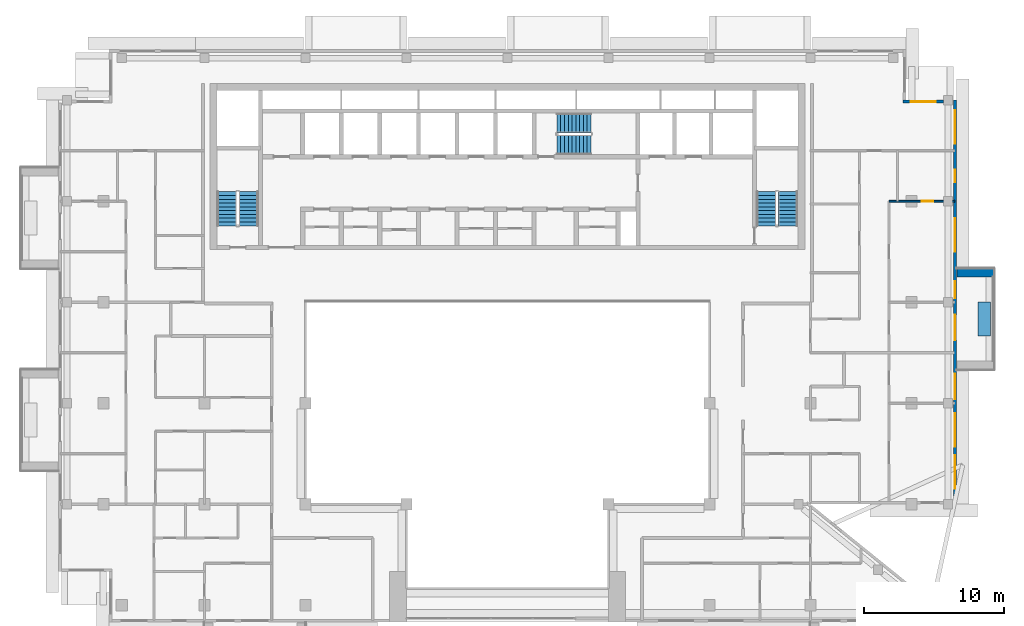
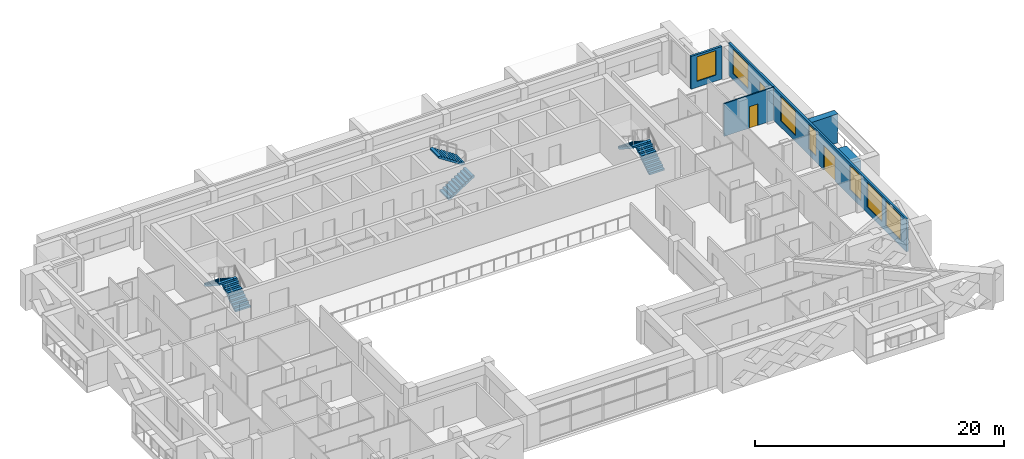
# One storey, part 12 of 19: 8 windows, 6 stair flights, 5 walls, 2 doors, 10 openings, 3 elements without a shape of their own.
"""IFC4 building model written with IfcOpenShell, lengths in metres."""

from ifc_helpers import new_model, si_unit, direction, frame, frame_2d, origin, place, context, subcontext, project, spatial, polyline, rectangle, outline, extrude, material, layer, layer_set, type_object, element, fill, aggregate, save


model = new_model("IFC4")

# Units and contexts
model_context = context("Model", 3, precision=1e-05, world=origin(), true_north=direction((0.0, 1.0)))
body_context = subcontext(model_context, "Body", "Model", "MODEL_VIEW")
ifc_project = project(units=[si_unit("LENGTHUNIT", "METRE"), si_unit("AREAUNIT", "SQUARE_METRE"), si_unit("VOLUMEUNIT", "CUBIC_METRE"), si_unit("PLANEANGLEUNIT", "RADIAN"), si_unit("MASSUNIT", "GRAM", prefix="KILO")], contexts=[model_context])

# Site, building, storey
site_placement = place(None, origin())
site = spatial("IfcSite", under=ifc_project, at=site_placement, CompositionType="ELEMENT")
building_placement = place(site_placement, origin())
building = spatial("IfcBuilding", under=site, at=building_placement, Name="Saffron Iwan Residences", CompositionType="ELEMENT")
storey_placement = place(building_placement, frame((0.0, 0.0, 243.0)))
storey = spatial("IfcBuildingStorey", under=building, at=storey_placement, Name="L65", CompositionType="ELEMENT", Elevation=243.0)

# Walls
ifc_material_1 = material(Name="Concrete C50/60 white painted", Category="concrete")
ifc_layer_1 = layer(ifc_material_1, 0.60009765625)
ifc_layer_set_1 = layer_set([ifc_layer_1], Name="Concrete C50/60 white painted")
wall_type_1 = type_object("IfcWallType", Name="BALCONY FIN 600", PredefinedType="SOLIDWALL", material=ifc_layer_set_1)
wall_1_placement = place(storey_placement, frame((82.449951171875, 64.5, 0.0), z_axis=(0.0, 0.0, 1.0), x_axis=(1.0, 0.0, 0.0)))
element("IfcWall", 1, at=wall_1_placement, inside=storey, type_object=wall_type_1, Name="Balcony fin L65 F2-0b", PredefinedType="SOLIDWALL", context=body_context, shape_type="SweptSolid", body=[
    extrude(rectangle(XDim=2.650146484375, YDim=0.60009765625, at=frame_2d((1.3251953125, 0.0))), origin(), (0.0, 0.0, 1.0), 2.85009765625),
])
ifc_material_2 = material(Name="Concrete C35/45 white painted", Category="concrete")
ifc_layer_2 = layer(ifc_material_2, 0.14990234375)
ifc_layer_set_2 = layer_set([ifc_layer_2], Name="Concrete C35/45 white painted")
wall_type_2 = type_object("IfcWallType", Name="BALCONY PLANTER", PredefinedType="SOLIDWALL", material=ifc_layer_set_2)
wall_2_placement = place(storey_placement, frame((84.375, 60.0, 0.0), z_axis=(0.0, 0.0, 1.0), x_axis=(0.0, 1.0, 0.0)))
element("IfcWall", 2, at=wall_2_placement, inside=storey, type_object=wall_type_2, Name="PLANTER L65 F2-0", PredefinedType="SOLIDWALL", context=body_context, shape_type="SweptSolid", body=[
    extrude(rectangle(XDim=2.39990234375, YDim=0.89990234375, at=frame_2d((1.199951171875, 0.0))), origin(), (0.0, 0.0, 1.0), 0.89990234375),
])

# Wall, openings, door, windows
ifc_material_3 = material(Name="Concrete C40/50", Category="concrete")
ifc_layer_3 = layer(ifc_material_3, 0.199951171875)
ifc_layer_set_3 = layer_set([ifc_layer_3], Name="Concrete C40/50")
wall_type_3 = type_object("IfcWallType", Name="EXTERNAL WALL 200", PredefinedType="SOLIDWALL", material=ifc_layer_set_3)
wall_3_placement = place(storey_placement, frame((82.300048828125, 48.199951171875, 0.0), z_axis=(0.0, 0.0, 1.0), x_axis=(0.0, 1.0, 0.0)))
wall_3 = element("IfcWall", 3, at=wall_3_placement, inside=storey, type_object=wall_type_3, Name="External wall L65 F2.0", PredefinedType="SOLIDWALL", context=body_context, shape_type="SweptSolid", body=[
    extrude(rectangle(XDim=28.60009765625, YDim=0.199951171875, at=frame_2d((14.300048828125, 0.0))), origin(), (0.0, 0.0, 1.0), 3.219970703125),
])
opening_1_placement = place(wall_3_placement, frame((11.5, 0.0, 0.0)))
opening_1 = element("IfcOpeningElement", 4, at=opening_1_placement, cuts=wall_3, Name="Opening BD1", PredefinedType="OPENING", context=body_context, shape_type="SweptSolid", body=[
    extrude(rectangle(XDim=1.800048828125, YDim=2.39990234375, at=frame_2d((0.89990234375, 1.199951171875))), frame((0.0, 0.10986328125, 0.0), z_axis=(0.0, -1.0, 0.0), x_axis=(1.0, 0.0, 0.0)), (0.0, 0.0, 1.0), 0.219970703125),
])
opening_2_placement = place(wall_3_placement, frame((0.89990234375, 0.0, 0.60009765625)))
opening_2 = element("IfcOpeningElement", 5, at=opening_2_placement, cuts=wall_3, Name="Opening W1", PredefinedType="OPENING", context=body_context, shape_type="SweptSolid", body=[
    extrude(rectangle(XDim=2.39990234375, YDim=2.39990234375, at=frame_2d((1.199951171875, 1.199951171875))), frame((0.0, 0.10986328125, 0.0), z_axis=(0.0, -1.0, 0.0), x_axis=(1.0, 0.0, 0.0)), (0.0, 0.0, 1.0), 0.219970703125),
])
opening_3_placement = place(wall_3_placement, frame((3.89990234375, 0.0, 0.60009765625)))
opening_3 = element("IfcOpeningElement", 6, at=opening_3_placement, cuts=wall_3, Name="Opening W1", PredefinedType="OPENING", context=body_context, shape_type="SweptSolid", body=[
    extrude(rectangle(XDim=2.39990234375, YDim=2.39990234375, at=frame_2d((1.199951171875, 1.199951171875))), frame((0.0, 0.10986328125, 0.0), z_axis=(0.0, -1.0, 0.0), x_axis=(1.0, 0.0, 0.0)), (0.0, 0.0, 1.0), 0.219970703125),
])
opening_4_placement = place(wall_3_placement, frame((7.300048828125, 0.0, 0.60009765625)))
opening_4 = element("IfcOpeningElement", 7, at=opening_4_placement, cuts=wall_3, Name="Opening W8", PredefinedType="OPENING", context=body_context, shape_type="SweptSolid", body=[
    extrude(rectangle(XDim=1.800048828125, YDim=2.39990234375, at=frame_2d((0.89990234375, 1.199951171875))), frame((0.0, 0.10986328125, 0.0), z_axis=(0.0, -1.0, 0.0), x_axis=(1.0, 0.0, 0.0)), (0.0, 0.0, 1.0), 0.219970703125),
])
opening_5_placement = place(wall_3_placement, frame((14.5, 0.0, 0.60009765625)))
opening_5 = element("IfcOpeningElement", 8, at=opening_5_placement, cuts=wall_3, Name="Opening W3", PredefinedType="OPENING", context=body_context, shape_type="SweptSolid", body=[
    extrude(rectangle(XDim=1.199951171875, YDim=2.39990234375, at=frame_2d((0.60009765625, 1.199951171875))), frame((0.0, 0.10986328125, 0.0), z_axis=(0.0, -1.0, 0.0), x_axis=(1.0, 0.0, 0.0)), (0.0, 0.0, 1.0), 0.219970703125),
])
opening_6_placement = place(wall_3_placement, frame((17.800048828125, 0.0, 0.60009765625)))
opening_6 = element("IfcOpeningElement", 9, at=opening_6_placement, cuts=wall_3, Name="Opening W1", PredefinedType="OPENING", context=body_context, shape_type="SweptSolid", body=[
    extrude(rectangle(XDim=2.39990234375, YDim=2.39990234375, at=frame_2d((1.199951171875, 1.199951171875))), frame((0.0, 0.10986328125, 0.0), z_axis=(0.0, -1.0, 0.0), x_axis=(1.0, 0.0, 0.0)), (0.0, 0.0, 1.0), 0.219970703125),
])
opening_7_placement = place(wall_3_placement, frame((22.75, 0.0, 1.5)))
opening_7 = element("IfcOpeningElement", 10, at=opening_7_placement, cuts=wall_3, Name="Opening W6", PredefinedType="OPENING", context=body_context, shape_type="SweptSolid", body=[
    extrude(rectangle(XDim=0.89990234375, YDim=0.89990234375, at=frame_2d((0.449951171875, 0.449951171875))), frame((0.0, 0.10986328125, 0.0), z_axis=(0.0, -1.0, 0.0), x_axis=(1.0, 0.0, 0.0)), (0.0, 0.0, 1.0), 0.219970703125),
])
opening_8_placement = place(wall_3_placement, frame((25.5, 0.0, 0.60009765625)))
opening_8 = element("IfcOpeningElement", 11, at=opening_8_placement, cuts=wall_3, Name="Opening W1", PredefinedType="OPENING", context=body_context, shape_type="SweptSolid", body=[
    extrude(rectangle(XDim=2.39990234375, YDim=2.39990234375, at=frame_2d((1.199951171875, 1.199951171875))), frame((0.0, 0.10986328125, 0.0), z_axis=(0.0, -1.0, 0.0), x_axis=(1.0, 0.0, 0.0)), (0.0, 0.0, 1.0), 0.219970703125),
])
ifc_material_4 = material(Name="Clear glass, laminated double glazed", Category="glass")
door_type_1 = type_object("IfcDoorType", Name="BALCONY DOOR 1800 x 2400", OperationType="DOUBLE_DOOR_SLIDING", PredefinedType="DOOR", material=ifc_material_4)
door_1_placement = place(opening_1_placement, origin())
door_1 = element("IfcDoor", 12, at=door_1_placement, inside=storey, type_object=door_type_1, Name="Balcony door L65 F2.0", OperationType="DOUBLE_DOOR_SLIDING", OverallHeight=2.39990234375, OverallWidth=1.800048828125, PredefinedType="DOOR", context=body_context, shape_type="SweptSolid", body=[
    extrude(rectangle(XDim=1.800048828125, YDim=2.39990234375, at=frame_2d((0.89990234375, 1.199951171875))), frame((0.0, 0.02490234375, 0.0), z_axis=(0.0, -1.0, 0.0), x_axis=(1.0, 0.0, 0.0)), (0.0, 0.0, 1.0), 0.050048828125),
])
fill(opening_1, door_1)
window_type_1 = type_object("IfcWindowType", Name="WINDOW 1200 x 2400", PartitioningType="SINGLE_PANEL", PredefinedType="WINDOW", material=ifc_material_4)
window_1_placement = place(opening_5_placement, origin())
window_1 = element("IfcWindow", 13, at=window_1_placement, inside=storey, type_object=window_type_1, Name="Window L65 F2.4", OverallHeight=2.39990234375, OverallWidth=1.199951171875, PartitioningType="SINGLE_PANEL", PredefinedType="WINDOW", context=body_context, shape_type="SweptSolid", body=[
    extrude(rectangle(XDim=1.199951171875, YDim=2.39990234375, at=frame_2d((0.60009765625, 1.199951171875))), frame((0.0, 0.030029296875, 0.0), z_axis=(0.0, -1.0, 0.0), x_axis=(1.0, 0.0, 0.0)), (0.0, 0.0, 1.0), 0.06005859375),
])
fill(opening_5, window_1)
window_type_2 = type_object("IfcWindowType", Name="WINDOW 1800 x 2400", PartitioningType="DOUBLE_PANEL_VERTICAL", PredefinedType="WINDOW", material=ifc_material_4)
window_2_placement = place(opening_4_placement, origin())
window_2 = element("IfcWindow", 14, at=window_2_placement, inside=storey, type_object=window_type_2, Name="Window L65 F2.3", OverallHeight=2.39990234375, OverallWidth=1.800048828125, PartitioningType="DOUBLE_PANEL_VERTICAL", PredefinedType="WINDOW", context=body_context, shape_type="SweptSolid", body=[
    extrude(rectangle(XDim=1.800048828125, YDim=2.39990234375, at=frame_2d((0.89990234375, 1.199951171875))), frame((0.0, 0.030029296875, 0.0), z_axis=(0.0, -1.0, 0.0), x_axis=(1.0, 0.0, 0.0)), (0.0, 0.0, 1.0), 0.06005859375),
])
fill(opening_4, window_2)
window_type_3 = type_object("IfcWindowType", Name="WINDOW 2400 x 2400", PartitioningType="DOUBLE_PANEL_VERTICAL", PredefinedType="WINDOW", material=ifc_material_4)
window_3_placement = place(opening_2_placement, origin())
window_3 = element("IfcWindow", 15, at=window_3_placement, inside=storey, type_object=window_type_3, Name="Window L65 F2.1", OverallHeight=2.39990234375, OverallWidth=2.39990234375, PartitioningType="DOUBLE_PANEL_VERTICAL", PredefinedType="WINDOW", context=body_context, shape_type="SweptSolid", body=[
    extrude(rectangle(XDim=2.39990234375, YDim=2.39990234375, at=frame_2d((1.199951171875, 1.199951171875))), frame((0.0, 0.030029296875, 0.0), z_axis=(0.0, -1.0, 0.0), x_axis=(1.0, 0.0, 0.0)), (0.0, 0.0, 1.0), 0.06005859375),
])
fill(opening_2, window_3)
window_4_placement = place(opening_3_placement, origin())
window_4 = element("IfcWindow", 16, at=window_4_placement, inside=storey, type_object=window_type_3, Name="Window L65 F2.2", OverallHeight=2.39990234375, OverallWidth=2.39990234375, PartitioningType="DOUBLE_PANEL_VERTICAL", PredefinedType="WINDOW", context=body_context, shape_type="SweptSolid", body=[
    extrude(rectangle(XDim=2.39990234375, YDim=2.39990234375, at=frame_2d((1.199951171875, 1.199951171875))), frame((0.0, 0.030029296875, 0.0), z_axis=(0.0, -1.0, 0.0), x_axis=(1.0, 0.0, 0.0)), (0.0, 0.0, 1.0), 0.06005859375),
])
fill(opening_3, window_4)
window_5_placement = place(opening_6_placement, origin())
window_5 = element("IfcWindow", 17, at=window_5_placement, inside=storey, type_object=window_type_3, Name="Window L65 F2.5", OverallHeight=2.39990234375, OverallWidth=2.39990234375, PartitioningType="DOUBLE_PANEL_VERTICAL", PredefinedType="WINDOW", context=body_context, shape_type="SweptSolid", body=[
    extrude(rectangle(XDim=2.39990234375, YDim=2.39990234375, at=frame_2d((1.199951171875, 1.199951171875))), frame((0.0, 0.030029296875, 0.0), z_axis=(0.0, -1.0, 0.0), x_axis=(1.0, 0.0, 0.0)), (0.0, 0.0, 1.0), 0.06005859375),
])
fill(opening_6, window_5)
window_6_placement = place(opening_8_placement, origin())
window_6 = element("IfcWindow", 18, at=window_6_placement, inside=storey, type_object=window_type_3, Name="Window L65 F2.7", OverallHeight=2.39990234375, OverallWidth=2.39990234375, PartitioningType="DOUBLE_PANEL_VERTICAL", PredefinedType="WINDOW", context=body_context, shape_type="SweptSolid", body=[
    extrude(rectangle(XDim=2.39990234375, YDim=2.39990234375, at=frame_2d((1.199951171875, 1.199951171875))), frame((0.0, 0.030029296875, 0.0), z_axis=(0.0, -1.0, 0.0), x_axis=(1.0, 0.0, 0.0)), (0.0, 0.0, 1.0), 0.06005859375),
])
fill(opening_8, window_6)
window_type_4 = type_object("IfcWindowType", Name="WINDOW 900 x 900 BATH", PartitioningType="SINGLE_PANEL", PredefinedType="WINDOW", material=ifc_material_4)
window_7_placement = place(opening_7_placement, origin())
window_7 = element("IfcWindow", 19, at=window_7_placement, inside=storey, type_object=window_type_4, Name="Window L65 F2.6", OverallHeight=0.89990234375, OverallWidth=0.89990234375, PartitioningType="SINGLE_PANEL", PredefinedType="WINDOW", context=body_context, shape_type="SweptSolid", body=[
    extrude(rectangle(XDim=0.89990234375, YDim=0.89990234375, at=frame_2d((0.449951171875, 0.449951171875))), frame((0.0, 0.030029296875, 0.0), z_axis=(0.0, -1.0, 0.0), x_axis=(1.0, 0.0, 0.0)), (0.0, 0.0, 1.0), 0.06005859375),
])
fill(opening_7, window_7)

# Wall, opening, window
wall_4_placement = place(storey_placement, frame((81.47509765625, 76.699951171875, 0.0), z_axis=(0.0, 0.0, 1.0), x_axis=(-1.0, 0.0, 0.0)))
wall_4 = element("IfcWall", 20, at=wall_4_placement, inside=storey, type_object=wall_type_3, Name="External wall L65 F3.0", PredefinedType="SOLIDWALL", context=body_context, shape_type="SweptSolid", body=[
    extrude(rectangle(XDim=2.875, YDim=0.199951171875, at=frame_2d((1.4375, 0.0))), origin(), (0.0, 0.0, 1.0), 3.219970703125),
])
opening_9_placement = place(wall_4_placement, frame((0.53759765625, 0.0, 0.60009765625)))
opening_9 = element("IfcOpeningElement", 21, at=opening_9_placement, cuts=wall_4, Name="Opening W8", PredefinedType="OPENING", context=body_context, shape_type="SweptSolid", body=[
    extrude(rectangle(XDim=1.800048828125, YDim=2.39990234375, at=frame_2d((0.89990234375, 1.199951171875))), frame((0.0, 0.10986328125, 0.0), z_axis=(0.0, -1.0, 0.0), x_axis=(1.0, 0.0, 0.0)), (0.0, 0.0, 1.0), 0.219970703125),
])
window_8_placement = place(opening_9_placement, origin())
window_8 = element("IfcWindow", 22, at=window_8_placement, inside=storey, type_object=window_type_2, Name="Window L65 F3.0", OverallHeight=2.39990234375, OverallWidth=1.800048828125, PartitioningType="DOUBLE_PANEL_VERTICAL", PredefinedType="WINDOW", context=body_context, shape_type="SweptSolid", body=[
    extrude(rectangle(XDim=1.800048828125, YDim=2.39990234375, at=frame_2d((0.89990234375, 1.199951171875))), frame((0.0, 0.030029296875, 0.0), z_axis=(0.0, -1.0, 0.0), x_axis=(1.0, 0.0, 0.0)), (0.0, 0.0, 1.0), 0.06005859375),
])
fill(opening_9, window_8)

# Wall, opening, door
ifc_material_5 = material(Name="Gypsum board partition")
ifc_layer_4 = layer(ifc_material_5, 0.1201171875)
ifc_layer_set_4 = layer_set([ifc_layer_4], Name="Gypsum board partition")
wall_type_4 = type_object("IfcWallType", Name="Flat partition 120", PredefinedType="PARTITIONING", material=ifc_layer_set_4)
wall_5_placement = place(storey_placement, frame((77.60009765625, 69.60009765625, 0.0), z_axis=(0.0, 0.0, 1.0), x_axis=(1.0, 0.0, 0.0)))
wall_5 = element("IfcWall", 23, at=wall_5_placement, inside=storey, type_object=wall_type_4, Name="W-L65-PART-h69.6-77.6", PredefinedType="PARTITIONING", context=body_context, shape_type="SweptSolid", body=[
    extrude(rectangle(XDim=4.6748046875, YDim=0.1201171875, at=frame_2d((2.33740234375, 0.0))), origin(), (0.0, 0.0, 1.0), 3.219970703125),
])
opening_10_placement = place(wall_5_placement, frame((2.33740234375, 0.0, 0.0)))
opening_10 = element("IfcOpeningElement", 24, at=opening_10_placement, cuts=wall_5, Name="Opening FD3", PredefinedType="OPENING", context=body_context, shape_type="SweptSolid", body=[
    extrude(rectangle(XDim=0.800048828125, YDim=2.10009765625, at=frame_2d((0.39990234375, 1.050048828125))), frame((0.0, 0.070068359375, 0.0), z_axis=(0.0, -1.0, 0.0), x_axis=(1.0, 0.0, 0.0)), (0.0, 0.0, 1.0), 0.14013671875),
])
ifc_material_6 = material(Name="Timber door", Category="wood")
door_type_2 = type_object("IfcDoorType", Name="Bathroom door 800", OperationType="NOTDEFINED", PredefinedType="DOOR", material=ifc_material_6)
door_2_placement = place(opening_10_placement, origin())
door_2 = element("IfcDoor", 25, at=door_2_placement, inside=storey, type_object=door_type_2, Name="Door L65-035", OperationType="SINGLE_SWING_LEFT", OverallHeight=2.10009765625, OverallWidth=0.800048828125, PredefinedType="DOOR", context=body_context, shape_type="SweptSolid", body=[
    extrude(rectangle(XDim=0.800048828125, YDim=2.10009765625, at=frame_2d((0.39990234375, 1.050048828125))), frame((0.0, 0.02490234375, 0.0), z_axis=(0.0, -1.0, 0.0), x_axis=(1.0, 0.0, 0.0)), (0.0, 0.0, 1.0), 0.050048828125),
])
fill(opening_10, door_2)

# Stair, stair flights
ifc_material_7 = material(Name="Concrete C50/60", Category="concrete")
stair_type = type_object("IfcStairType", Name="Stair ST-CORE", PredefinedType="HALF_TURN_STAIR", material=ifc_material_7)
stair_1_placement = place(storey_placement, origin())
stair_1 = element("IfcStair", 26, at=stair_1_placement, inside=storey, type_object=stair_type, Name="L65 Exit Stair ST-W", PredefinedType="HALF_TURN_STAIR")
ifc_layer_5 = layer(ifc_material_7, 0.14990234375)
ifc_layer_set_5 = layer_set([ifc_layer_5], Name="Concrete C50/60")
stair_flight_type = type_object("IfcStairFlightType", Name="Stair flight SFL-RC", PredefinedType="STRAIGHT", material=ifc_layer_set_5)
stair_flight_1_placement = place(storey_placement, frame((31.949951171875, 67.85009765625, 0.0), z_axis=(0.0, 0.0, 1.0), x_axis=(0.0, 1.0, 0.0)))
stair_flight_1 = element("IfcStairFlight", 27, at=stair_flight_1_placement, type_object=stair_flight_type, Name="ST-W flight 1", NumberOfRisers=10, NumberOfTreads=9, PredefinedType="STRAIGHT", RiserHeight=0.175, TreadLength=0.27, context=body_context, shape_type="SweptSolid", body=[
    extrude(outline(polyline([(0.0, 0.0), (0.0, 0.175048828125), (0.27001953125, 0.175048828125), (0.27001953125, 0.35009765625), (0.5400390625, 0.35009765625), (0.5400390625, 0.52490234375), (0.81005859375, 0.52490234375), (0.81005859375, 0.699951171875), (1.080078125, 0.699951171875), (1.080078125, 0.875), (1.35009765625, 0.875), (1.35009765625, 1.050048828125), (1.6201171875, 1.050048828125), (1.6201171875, 1.22509765625), (1.889892578125, 1.22509765625), (1.889892578125, 1.39990234375), (2.159912109375, 1.39990234375), (2.159912109375, 1.574951171875), (2.429931640625, 1.574951171875), (2.429931640625, 1.75), (2.429931640625, 1.396484375), (0.275634765625, 0.0), (0.0, 0.0)])), frame((0.0, 0.699951171875, 0.0), z_axis=(0.0, -1.0, 0.0), x_axis=(1.0, 0.0, 0.0)), (0.0, 0.0, 1.0), 1.39990234375),
])
stair_flight_2_placement = place(storey_placement, frame((30.39990234375, 70.280029296875, 1.75), z_axis=(0.0, 0.0, 1.0), x_axis=(0.0, -1.0, 0.0)))
stair_flight_2 = element("IfcStairFlight", 28, at=stair_flight_2_placement, type_object=stair_flight_type, Name="ST-W flight 2", NumberOfRisers=10, NumberOfTreads=9, PredefinedType="STRAIGHT", RiserHeight=0.175, TreadLength=0.27, context=body_context, shape_type="SweptSolid", body=[
    extrude(outline(polyline([(0.0, 0.0), (0.0, 0.175048828125), (0.27001953125, 0.175048828125), (0.27001953125, 0.35009765625), (0.5400390625, 0.35009765625), (0.5400390625, 0.52490234375), (0.81005859375, 0.52490234375), (0.81005859375, 0.699951171875), (1.080078125, 0.699951171875), (1.080078125, 0.875), (1.35009765625, 0.875), (1.35009765625, 1.050048828125), (1.6201171875, 1.050048828125), (1.6201171875, 1.22509765625), (1.889892578125, 1.22509765625), (1.889892578125, 1.39990234375), (2.159912109375, 1.39990234375), (2.159912109375, 1.574951171875), (2.429931640625, 1.574951171875), (2.429931640625, 1.75), (2.429931640625, 1.396484375), (0.275634765625, 0.0), (0.0, 0.0)])), frame((0.0, 0.699951171875, 0.0), z_axis=(0.0, -1.0, 0.0), x_axis=(1.0, 0.0, 0.0)), (0.0, 0.0, 1.0), 1.39990234375),
])
aggregate(stair_1, [stair_flight_1, stair_flight_2])

stair_2_placement = place(storey_placement, origin())
stair_2 = element("IfcStair", 29, at=stair_2_placement, inside=storey, type_object=stair_type, Name="L65 Exit Stair ST-C", PredefinedType="HALF_TURN_STAIR")
stair_flight_3_placement = place(storey_placement, frame((53.925048828125, 73.625, 0.0), z_axis=(0.0, 0.0, 1.0), x_axis=(1.0, 0.0, 0.0)))
stair_flight_3 = element("IfcStairFlight", 30, at=stair_flight_3_placement, type_object=stair_flight_type, Name="ST-C flight 1", NumberOfRisers=10, NumberOfTreads=9, PredefinedType="STRAIGHT", RiserHeight=0.175, TreadLength=0.27, context=body_context, shape_type="SweptSolid", body=[
    extrude(outline(polyline([(0.0, 0.0), (0.0, 0.175048828125), (0.27001953125, 0.175048828125), (0.27001953125, 0.35009765625), (0.5400390625, 0.35009765625), (0.5400390625, 0.52490234375), (0.81005859375, 0.52490234375), (0.81005859375, 0.699951171875), (1.080078125, 0.699951171875), (1.080078125, 0.875), (1.35009765625, 0.875), (1.35009765625, 1.050048828125), (1.6201171875, 1.050048828125), (1.6201171875, 1.22509765625), (1.889892578125, 1.22509765625), (1.889892578125, 1.39990234375), (2.159912109375, 1.39990234375), (2.159912109375, 1.574951171875), (2.429931640625, 1.574951171875), (2.429931640625, 1.75), (2.429931640625, 1.396484375), (0.275634765625, 0.0), (0.0, 0.0)])), frame((0.0, 0.699951171875, 0.0), z_axis=(0.0, -1.0, 0.0), x_axis=(1.0, 0.0, 0.0)), (0.0, 0.0, 1.0), 1.39990234375),
])
stair_flight_4_placement = place(storey_placement, frame((56.35498046875, 75.175048828125, 1.75), z_axis=(0.0, 0.0, 1.0), x_axis=(-1.0, 0.0, 0.0)))
stair_flight_4 = element("IfcStairFlight", 31, at=stair_flight_4_placement, type_object=stair_flight_type, Name="ST-C flight 2", NumberOfRisers=10, NumberOfTreads=9, PredefinedType="STRAIGHT", RiserHeight=0.175, TreadLength=0.27, context=body_context, shape_type="SweptSolid", body=[
    extrude(outline(polyline([(0.0, 0.0), (0.0, 0.175048828125), (0.27001953125, 0.175048828125), (0.27001953125, 0.35009765625), (0.5400390625, 0.35009765625), (0.5400390625, 0.52490234375), (0.81005859375, 0.52490234375), (0.81005859375, 0.699951171875), (1.080078125, 0.699951171875), (1.080078125, 0.875), (1.35009765625, 0.875), (1.35009765625, 1.050048828125), (1.6201171875, 1.050048828125), (1.6201171875, 1.22509765625), (1.889892578125, 1.22509765625), (1.889892578125, 1.39990234375), (2.159912109375, 1.39990234375), (2.159912109375, 1.574951171875), (2.429931640625, 1.574951171875), (2.429931640625, 1.75), (2.429931640625, 1.396484375), (0.275634765625, 0.0), (0.0, 0.0)])), frame((0.0, 0.699951171875, 0.0), z_axis=(0.0, -1.0, 0.0), x_axis=(1.0, 0.0, 0.0)), (0.0, 0.0, 1.0), 1.39990234375),
])
aggregate(stair_2, [stair_flight_3, stair_flight_4])

stair_3_placement = place(storey_placement, origin())
stair_3 = element("IfcStair", 32, at=stair_3_placement, inside=storey, type_object=stair_type, Name="L65 Exit Stair ST-E", PredefinedType="HALF_TURN_STAIR")
stair_flight_5_placement = place(storey_placement, frame((70.39990234375, 67.85009765625, 0.0), z_axis=(0.0, 0.0, 1.0), x_axis=(0.0, 1.0, 0.0)))
stair_flight_5 = element("IfcStairFlight", 33, at=stair_flight_5_placement, type_object=stair_flight_type, Name="ST-E flight 1", NumberOfRisers=10, NumberOfTreads=9, PredefinedType="STRAIGHT", RiserHeight=0.175, TreadLength=0.27, context=body_context, shape_type="SweptSolid", body=[
    extrude(outline(polyline([(0.0, 0.0), (0.0, 0.175048828125), (0.27001953125, 0.175048828125), (0.27001953125, 0.35009765625), (0.5400390625, 0.35009765625), (0.5400390625, 0.52490234375), (0.81005859375, 0.52490234375), (0.81005859375, 0.699951171875), (1.080078125, 0.699951171875), (1.080078125, 0.875), (1.35009765625, 0.875), (1.35009765625, 1.050048828125), (1.6201171875, 1.050048828125), (1.6201171875, 1.22509765625), (1.889892578125, 1.22509765625), (1.889892578125, 1.39990234375), (2.159912109375, 1.39990234375), (2.159912109375, 1.574951171875), (2.429931640625, 1.574951171875), (2.429931640625, 1.75), (2.429931640625, 1.396484375), (0.275634765625, 0.0), (0.0, 0.0)])), frame((0.0, 0.699951171875, 0.0), z_axis=(0.0, -1.0, 0.0), x_axis=(1.0, 0.0, 0.0)), (0.0, 0.0, 1.0), 1.39990234375),
])
stair_flight_6_placement = place(storey_placement, frame((68.85009765625, 70.280029296875, 1.75), z_axis=(0.0, 0.0, 1.0), x_axis=(0.0, -1.0, 0.0)))
stair_flight_6 = element("IfcStairFlight", 34, at=stair_flight_6_placement, type_object=stair_flight_type, Name="ST-E flight 2", NumberOfRisers=10, NumberOfTreads=9, PredefinedType="STRAIGHT", RiserHeight=0.175, TreadLength=0.27, context=body_context, shape_type="SweptSolid", body=[
    extrude(outline(polyline([(0.0, 0.0), (0.0, 0.175048828125), (0.27001953125, 0.175048828125), (0.27001953125, 0.35009765625), (0.5400390625, 0.35009765625), (0.5400390625, 0.52490234375), (0.81005859375, 0.52490234375), (0.81005859375, 0.699951171875), (1.080078125, 0.699951171875), (1.080078125, 0.875), (1.35009765625, 0.875), (1.35009765625, 1.050048828125), (1.6201171875, 1.050048828125), (1.6201171875, 1.22509765625), (1.889892578125, 1.22509765625), (1.889892578125, 1.39990234375), (2.159912109375, 1.39990234375), (2.159912109375, 1.574951171875), (2.429931640625, 1.574951171875), (2.429931640625, 1.75), (2.429931640625, 1.396484375), (0.275634765625, 0.0), (0.0, 0.0)])), frame((0.0, 0.699951171875, 0.0), z_axis=(0.0, -1.0, 0.0), x_axis=(1.0, 0.0, 0.0)), (0.0, 0.0, 1.0), 1.39990234375),
])
aggregate(stair_3, [stair_flight_5, stair_flight_6])

save(model, "model.ifc")
